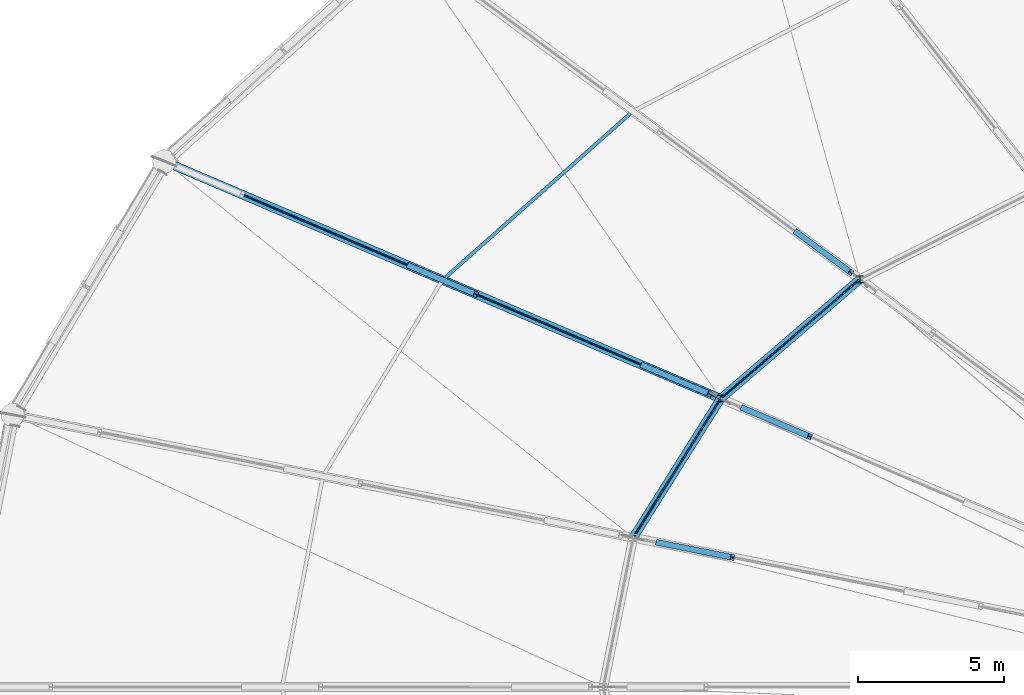
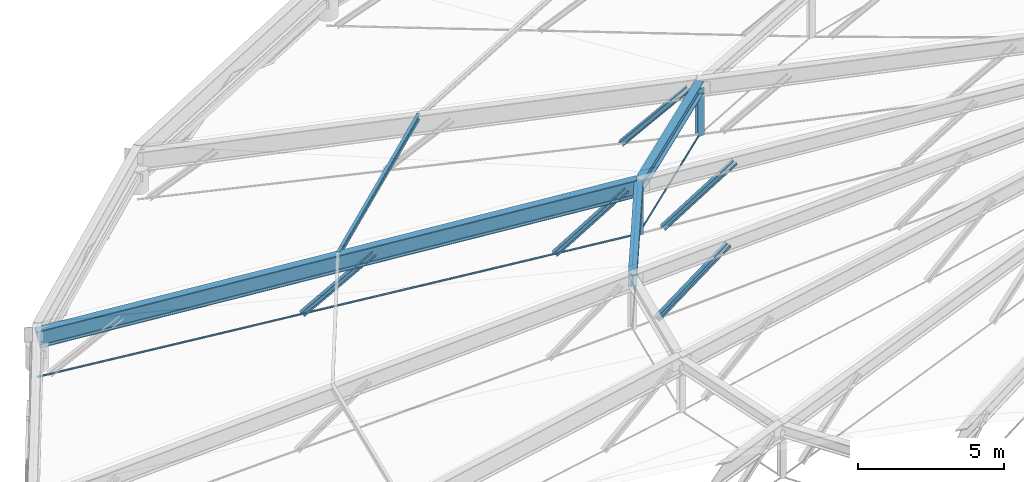
# One storey, part 12 of 83: 11 members, 3 beams.
"""IFC4 building model written with IfcOpenShell, lengths in metres."""

import ifcopenshell
import ifcopenshell.guid

model = None  # the IFC model being written
_history = None  # IfcOwnerHistory: only IFC2X3 demands one
_inside = {}  # id of a spatial element -> (the spatial element, [elements in it])
_under = {}  # id of a project, library or spatial element -> (it, [spatial elements below it])
_declared = {}  # id of a project -> (the project, [libraries it declares])
_typed = {}  # id of a type object -> (the type object, [elements of that type])
_made_of = {}  # id of a material, layer set ... -> (it, [elements and type objects made of it])


def new_model(schema):
    """Start an empty IFC model of exactly this schema.

    Asked for "IFC4X3", IfcOpenShell would pick the latest addendum, in which some entities
    have other attributes; the version numbers below select the first issue.
    IFC2X3 requires an IfcOwnerHistory on every rooted entity: one is made here for all.
    """
    global model, _history
    if schema == "IFC4X3":
        model = ifcopenshell.file(schema_version=(4, 3, 0, 0))
    else:
        model = ifcopenshell.file(schema=schema)
    _inside.clear()
    _under.clear()
    _declared.clear()
    _typed.clear()
    _made_of.clear()
    _history = None
    if model.schema == "IFC2X3":
        org = make("IfcOrganization", Name="unknown")
        user = make(
            "IfcPersonAndOrganization",
            ThePerson=make("IfcPerson", FamilyName="unknown"),
            TheOrganization=org,
        )
        app = make(
            "IfcApplication",
            ApplicationDeveloper=org,
            Version="unknown",
            ApplicationFullName="unknown",
            ApplicationIdentifier="unknown",
        )
        _history = make(
            "IfcOwnerHistory",
            OwningUser=user,
            OwningApplication=app,
            ChangeAction="ADDED",
            CreationDate=0,
        )
    return model


def make(cls, **values):
    """One entity of the class cls with the attributes given. An attribute that is None is left unset."""
    return model.create_entity(
        cls, **{name: value for name, value in values.items() if value is not None}
    )


def rooted(cls, **values):
    """An entity with a GlobalId (a new one), such as an element, a storey or a relation."""
    return make(cls, GlobalId=ifcopenshell.guid.new(), OwnerHistory=_history, **values)


def si_unit(unit_type, name, prefix=None):
    """IfcSIUnit, for example si_unit("LENGTHUNIT", "METRE", prefix="MILLI")."""
    return make("IfcSIUnit", UnitType=unit_type, Prefix=prefix, Name=name)


def assignment(units):
    """IfcUnitAssignment: the units of a project."""
    return None if units is None else make("IfcUnitAssignment", Units=units)


def point(xyz):
    """IfcCartesianPoint."""
    return None if xyz is None else make("IfcCartesianPoint", Coordinates=xyz)


def direction(xyz):
    """IfcDirection."""
    return None if xyz is None else make("IfcDirection", DirectionRatios=xyz)


def frame(location, z_axis=None, x_axis=None):
    """IfcAxis2Placement3D, a coordinate frame: its origin and axes. An axis left out is left unset."""
    return make(
        "IfcAxis2Placement3D",
        Location=point(location),
        Axis=direction(z_axis),
        RefDirection=direction(x_axis),
    )


def frame_2d(location, x_axis=None):
    """IfcAxis2Placement2D, a coordinate frame in the plane: its origin and x axis."""
    return make(
        "IfcAxis2Placement2D", Location=point(location), RefDirection=direction(x_axis)
    )


def origin():
    """The frame at (0, 0, 0) with its axes left unset."""
    return frame((0.0, 0.0, 0.0))


def origin_2d():
    """The frame at (0, 0) in the plane with its x axis left unset."""
    return frame_2d((0.0, 0.0))


def place(relative_to, where):
    """IfcLocalPlacement: puts the frame where relative to a parent placement (None: the world)."""
    return make(
        "IfcLocalPlacement", PlacementRelTo=relative_to, RelativePlacement=where
    )


def context(
    kind, dimensions, precision=None, world=None, true_north=None, identifier=None
):
    """IfcGeometricRepresentationContext, for example the 3D "Model" context."""
    return make(
        "IfcGeometricRepresentationContext",
        ContextIdentifier=identifier,
        ContextType=kind,
        CoordinateSpaceDimension=dimensions,
        Precision=precision,
        WorldCoordinateSystem=world,
        TrueNorth=true_north,
    )


def subcontext(parent, identifier, kind, view, scale=None):
    """IfcGeometricRepresentationSubContext, for example "Body" below "Model"."""
    return make(
        "IfcGeometricRepresentationSubContext",
        ContextIdentifier=identifier,
        ContextType=kind,
        ParentContext=parent,
        TargetScale=scale,
        TargetView=view,
    )


def project(units=None, contexts=None):
    """IfcProject with its units and contexts."""
    return rooted(
        "IfcProject",
        Name="project",
        RepresentationContexts=contexts,
        UnitsInContext=assignment(units),
    )


def spatial(cls, under=None, at=None, **own):
    """A site, building, storey or space (cls), placed at a placement, below another one or the project."""
    s = rooted(cls, ObjectPlacement=at, **own)
    if under is not None:
        _under.setdefault(under.id(), (under, []))[1].append(s)
    return s


def profile(cls, at=None, kind="AREA", **sizes):
    """A parametric profile (cls). Its sizes go by their IFC names, for example OverallWidth=200.0."""
    return make(cls, ProfileType=kind, Position=at, **sizes)


def circle(**sizes):
    """IfcCircleProfileDef."""
    return profile("IfcCircleProfileDef", **sizes)


def i_section(**sizes):
    """IfcIShapeProfileDef."""
    return profile("IfcIShapeProfileDef", **sizes)


def extrude(swept, where, along, depth):
    """IfcExtrudedAreaSolid: the profile swept, set in the frame where, extruded along a direction by depth."""
    return make(
        "IfcExtrudedAreaSolid",
        SweptArea=swept,
        Position=where,
        ExtrudedDirection=direction(along),
        Depth=depth,
    )


def shape(context_of_items, identifier, shape_type, items):
    """IfcShapeRepresentation: the items that make up one representation, for example the "Body"."""
    return make(
        "IfcShapeRepresentation",
        ContextOfItems=context_of_items,
        RepresentationIdentifier=identifier,
        RepresentationType=shape_type,
        Items=items,
    )


def material(Name=None, Category=None):
    """IfcMaterial."""
    return make("IfcMaterial", Name=Name, Category=Category)


def material_profile(
    of_material, cross_section, Name=None, Category=None, Priority=None
):
    """IfcMaterialProfile: a cross section and its material."""
    return make(
        "IfcMaterialProfile",
        Name=Name,
        Material=of_material,
        Profile=cross_section,
        Priority=Priority,
        Category=Category,
    )


def profile_set(profiles, Name=None, composite=None):
    """IfcMaterialProfileSet."""
    return make(
        "IfcMaterialProfileSet",
        Name=Name,
        MaterialProfiles=profiles,
        CompositeProfile=composite,
    )


def made_of(thing, what):
    """Note that an element or type object is made of a material, layer set ...; save() writes the relation."""
    if what is not None:
        _made_of.setdefault(what.id(), (what, []))[1].append(thing)
    return thing


def type_object(cls, material=None, **own):
    """A type object (cls), such as IfcWallType, which elements share."""
    return made_of(rooted(cls, **own), material)


def element(
    cls,
    number,
    at=None,
    inside=None,
    cuts=None,
    type_object=None,
    material=None,
    context=None,
    identifier="Body",
    shape_type=None,
    held_by="IfcProductDefinitionShape",
    body=None,
    shapes=None,
    **own,
):
    """One element of the class cls, such as IfcWall. Its Tag is "e" and its number.

    at: its placement. inside: the storey or other place that contains it. cuts: it is an
    opening in that element (IfcRelVoidsElement). A single representation is given by context,
    identifier, shape_type and body (its items); several are given by shapes. held_by: the class
    of the entity that holds the representations. save() writes the other relations.
    """
    e = rooted(cls, Tag="e%d" % number, ObjectPlacement=at, **own)
    if body is not None:
        shapes = [shape(context, identifier, shape_type, body)]
    if shapes is not None:
        e.Representation = make(held_by, Representations=shapes)
    if inside is not None:
        _inside.setdefault(inside.id(), (inside, []))[1].append(e)
    if cuts is not None:
        rooted(
            "IfcRelVoidsElement", RelatingBuildingElement=cuts, RelatedOpeningElement=e
        )
    if type_object is not None:
        _typed.setdefault(type_object.id(), (type_object, []))[1].append(e)
    return made_of(e, material)


def aggregate(whole, parts):
    """IfcRelAggregates: a whole, such as a stair, and the parts it consists of."""
    return rooted("IfcRelAggregates", RelatingObject=whole, RelatedObjects=parts)


def save(model, path):
    """Write the relations noted so far, then the file.

    IfcRelAggregates (storeys below a building ...), IfcRelContainedInSpatialStructure (elements
    in a storey), IfcRelDefinesByType, IfcRelAssociatesMaterial and IfcRelDeclares: one each for
    every whole, place, type object, material and project.
    """
    for whole, parts in _under.values():
        aggregate(whole, parts)
    for where, things in _inside.values():
        rooted(
            "IfcRelContainedInSpatialStructure",
            RelatedElements=things,
            RelatingStructure=where,
        )
    for kind, things in _typed.values():
        rooted("IfcRelDefinesByType", RelatedObjects=things, RelatingType=kind)
    for what, things in _made_of.values():
        rooted("IfcRelAssociatesMaterial", RelatedObjects=things, RelatingMaterial=what)
    for by, libraries in _declared.values():
        rooted("IfcRelDeclares", RelatingContext=by, RelatedDefinitions=libraries)
    model.write(path)


model = new_model("IFC4")

# Units and contexts
model_context = context("Model", 3, precision=1e-05, world=origin(), true_north=direction((0.0, 1.0)))
body_context = subcontext(model_context, "Body", "Model", "MODEL_VIEW")
ifc_project = project(units=[si_unit("LENGTHUNIT", "METRE"), si_unit("AREAUNIT", "SQUARE_METRE"), si_unit("VOLUMEUNIT", "CUBIC_METRE"), si_unit("PLANEANGLEUNIT", "RADIAN"), si_unit("MASSUNIT", "GRAM", prefix="KILO")], contexts=[model_context])

# Site, building, storey
site_placement = place(None, origin())
site = spatial("IfcSite", under=ifc_project, at=site_placement, CompositionType="ELEMENT")
building_placement = place(site_placement, origin())
building = spatial("IfcBuilding", under=site, at=building_placement, Name="Kivolera Central Railway Station", CompositionType="ELEMENT")
storey_placement = place(building_placement, frame((0.0, 0.0, 14.39990234375)))
storey = spatial("IfcBuildingStorey", under=building, at=storey_placement, Name="L03", CompositionType="ELEMENT", Elevation=14.39990234375)

# Beams
ifc_material_1 = material(Name="Steel S355", Category="steel")
ifc_material_profile_1 = material_profile(ifc_material_1, i_section(OverallWidth=0.300048828125, OverallDepth=0.699951171875, WebThickness=0.01708984375, FlangeThickness=0.031982421875, FilletRadius=0.027099609375, at=origin_2d()), Name="HEB 700")
ifc_profile_set_1 = profile_set([ifc_material_profile_1], Name="Steel S355")
beam_type_1 = type_object("IfcBeamType", Name="BM-DRB-HEB700", PredefinedType="BEAM", material=ifc_profile_set_1)
beam_1_placement = place(storey_placement, frame((18.967041015625, 108.0, 1.18017578125), z_axis=(0.897967287965, -0.382951053263, 0.216802307528), x_axis=(0.392281255326, 0.919845322171, 0.0)))
element("IfcBeam", 1, at=beam_1_placement, inside=storey, type_object=beam_type_1, Name="Oval Dome Radial Arch Rib Outer Segment DRB1-11", PredefinedType="BEAM", context=body_context, shape_type="SweptSolid", body=[
    extrude(i_section(OverallWidth=0.300048828125, OverallDepth=0.699951171875, WebThickness=0.01708984375, FlangeThickness=0.031982421875, FilletRadius=0.027099609375, at=origin_2d()), origin(), (0.0, 0.0, 1.0), 21.216796875),
])
ifc_material_profile_2 = material_profile(ifc_material_1, i_section(OverallWidth=0.300048828125, OverallDepth=0.5, WebThickness=0.014404296875, FlangeThickness=0.028076171875, FilletRadius=0.027099609375, at=origin_2d()), Name="HEB 500")
ifc_profile_set_2 = profile_set([ifc_material_profile_2], Name="Steel S355")
beam_type_2 = type_object("IfcBeamType", Name="BM-HRG-HEB500", PredefinedType="BEAM", material=ifc_profile_set_2)
beam_2_placement = place(storey_placement, frame((42.787109375, 103.965087890625, 5.780029296875), z_axis=(-0.759006904764, -0.651082574271, 0.0), x_axis=(0.651082574271, -0.759006904764, 0.0)))
element("IfcBeam", 2, at=beam_2_placement, inside=storey, type_object=beam_type_2, Name="Oval Dome Outer Hoop Ring Beam HRG1-10", PredefinedType="BEAM", context=body_context, shape_type="SweptSolid", body=[
    extrude(i_section(OverallWidth=0.300048828125, OverallDepth=0.5, WebThickness=0.014404296875, FlangeThickness=0.028076171875, FilletRadius=0.027099609375, at=origin_2d()), origin(), (0.0, 0.0, 1.0), 6.281982421875),
])
beam_3_placement = place(storey_placement, frame((38.01904296875, 99.875, 5.780029296875), z_axis=(-0.532581967899, -0.846378430413, 0.0), x_axis=(0.846378430413, -0.532581967899, 0.0)))
element("IfcBeam", 3, at=beam_3_placement, inside=storey, type_object=beam_type_2, Name="Oval Dome Outer Hoop Ring Beam HRG1-11", PredefinedType="BEAM", context=body_context, shape_type="SweptSolid", body=[
    extrude(i_section(OverallWidth=0.300048828125, OverallDepth=0.5, WebThickness=0.014404296875, FlangeThickness=0.028076171875, FilletRadius=0.027099609375, at=origin_2d()), origin(), (0.0, 0.0, 1.0), 5.62744140625),
])

# Members
ifc_material_2 = material(Name="Spiral strand steel S460", Category="steel")
ifc_material_profile_3 = material_profile(ifc_material_2, circle(Radius=0.02392578125, at=origin_2d()), Name="CABLE D48")
ifc_profile_set_3 = profile_set([ifc_material_profile_3], Name="Spiral strand steel S460")
member_type_1 = type_object("IfcMemberType", Name="MEM-CABLE-D48", PredefinedType="USERDEFINED", material=ifc_profile_set_3)
member_1_placement = place(storey_placement, frame((42.787109375, 103.965087890625, 3.780029296875), z_axis=(-0.759006904764, -0.651082574271, 0.0), x_axis=(0.651082574271, -0.759006904764, 0.0)))
element("IfcMember", 4, at=member_1_placement, inside=storey, type_object=member_type_1, Name="Dome Hoop Tension Cable HC1-10", ObjectType="TENSION_CABLE", PredefinedType="USERDEFINED", context=body_context, shape_type="SweptSolid", body=[
    extrude(circle(Radius=0.02392578125, at=origin_2d()), origin(), (0.0, 0.0, 1.0), 6.281982421875),
])
member_2_placement = place(storey_placement, frame((38.01904296875, 99.875, 3.780029296875), z_axis=(-0.532581967899, -0.846378430413, 0.0), x_axis=(0.846378430413, -0.532581967899, 0.0)))
element("IfcMember", 5, at=member_2_placement, inside=storey, type_object=member_type_1, Name="Dome Hoop Tension Cable HC1-11", ObjectType="TENSION_CABLE", PredefinedType="USERDEFINED", context=body_context, shape_type="SweptSolid", body=[
    extrude(circle(Radius=0.02392578125, at=origin_2d()), origin(), (0.0, 0.0, 1.0), 5.62744140625),
])
ifc_material_profile_4 = material_profile(ifc_material_2, circle(Radius=0.031982421875, at=origin_2d()), Name="CABLE D64")
ifc_profile_set_4 = profile_set([ifc_material_profile_4], Name="Spiral strand steel S460")
member_type_2 = type_object("IfcMemberType", Name="MEM-CABLE-D64", PredefinedType="USERDEFINED", material=ifc_profile_set_4)
member_3_placement = place(storey_placement, frame((18.967041015625, 108.0, -0.449951171875), z_axis=(0.901242554001, -0.384347837528, 0.200096473347), x_axis=(0.392281255326, 0.919845322171, 0.0)))
element("IfcMember", 6, at=member_3_placement, inside=storey, type_object=member_type_2, Name="Dome Radial Spiral-Strand Tension Cable RC1-11", ObjectType="TENSION_CABLE", PredefinedType="USERDEFINED", context=body_context, shape_type="SweptSolid", body=[
    extrude(circle(Radius=0.031982421875, at=origin_2d()), origin(), (0.0, 0.0, 1.0), 21.1396484375),
])
ifc_material_profile_5 = material_profile(ifc_material_1, i_section(OverallWidth=0.1201171875, OverallDepth=0.239990234375, WebThickness=0.006103515625, FlangeThickness=0.009765625, FilletRadius=0.014892578125, at=origin_2d()), Name="IPE 240")
ifc_profile_set_5 = profile_set([ifc_material_profile_5], Name="Steel S355")
member_type_3 = type_object("IfcMemberType", Name="MEM-PUR-IPE240", PredefinedType="PURLIN", material=ifc_profile_set_5)
member_4_placement = place(storey_placement, frame((35.008056640625, 109.7099609375, 3.775146484375), z_axis=(-0.748507030998, -0.663126854038, 0.0), x_axis=(0.663126854038, -0.748507030998, 0.0)))
element("IfcMember", 7, at=member_4_placement, inside=storey, type_object=member_type_3, Name="Dome Outer Hoop Purlin DPUR1-10", PredefinedType="PURLIN", context=body_context, shape_type="SweptSolid", body=[
    extrude(i_section(OverallWidth=0.1201171875, OverallDepth=0.239990234375, WebThickness=0.006103515625, FlangeThickness=0.009765625, FilletRadius=0.014892578125, at=origin_2d()), origin(), (0.0, 0.0, 1.0), 8.7041015625),
])
ifc_material_profile_6 = material_profile(ifc_material_1, i_section(OverallWidth=0.239990234375, OverallDepth=0.22998046875, WebThickness=0.007568359375, FlangeThickness=0.011962890625, FilletRadius=0.02099609375, at=origin_2d()), Name="HEA 240")
ifc_profile_set_6 = profile_set([ifc_material_profile_6], Name="Steel S355")
member_type_4 = type_object("IfcMemberType", Name="MEM-RAF-HEA240", PredefinedType="STRUT", material=ifc_profile_set_6)
for number, where, z_axis, x_axis, name in (
    (8, (42.787109375, 103.965087890625, 3.780029296875), (0.0, 0.0, 1.0), (1.0, 0.0, 0.0), "Dome Ring Spreader Post DP1-10"),
    (9, (38.01904296875, 99.875, 3.780029296875), (0.0, 0.0, 1.0), (1.0, 0.0, 0.0), "Dome Ring Spreader Post DP1-11"),
):
    element("IfcMember", number, at=place(storey_placement, frame(where, z_axis=z_axis, x_axis=x_axis)), inside=storey, type_object=member_type_4, Name=name, PredefinedType="STRUT", context=body_context, shape_type="SweptSolid", body=[
        extrude(i_section(OverallWidth=0.239990234375, OverallDepth=0.22998046875, WebThickness=0.007568359375, FlangeThickness=0.011962890625, FilletRadius=0.02099609375, at=origin_2d()), origin(), (0.0, 0.0, 1.0), 2.0),
    ])
ifc_material_profile_7 = material_profile(ifc_material_1, i_section(OverallWidth=0.199951171875, OverallDepth=0.199951171875, WebThickness=0.009033203125, FlangeThickness=0.014892578125, FilletRadius=0.01806640625, at=origin_2d()), Name="HEB 200")
ifc_profile_set_7 = profile_set([ifc_material_profile_7], Name="Steel S355")
member_type_5 = type_object("IfcMemberType", Name="MEM-RAF-HEB200", PredefinedType="RAFTER", material=ifc_profile_set_7)
member_5_placement = place(storey_placement, frame((40.60888671875, 105.573974609375, 3.18798828125), z_axis=(0.547334742737, -0.404203272356, 0.732833128351), x_axis=(0.59405978192, 0.804420894498, 0.0)))
element("IfcMember", 10, at=member_5_placement, inside=storey, type_object=member_type_5, Name="Dome Radial Truss Raking Web DWEB1-10.3", PredefinedType="RAFTER", context=body_context, shape_type="SweptSolid", body=[
    extrude(i_section(OverallWidth=0.199951171875, OverallDepth=0.199951171875, WebThickness=0.009033203125, FlangeThickness=0.014892578125, FilletRadius=0.01806640625, at=origin_2d()), origin(), (0.0, 0.0, 1.0), 3.411376953125),
])
member_6_placement = place(storey_placement, frame((27.35009765625, 104.425048828125, 1.4111328125), z_axis=(0.669001075137, -0.285377581341, 0.686292355729), x_axis=(0.392365547728, 0.9198093699, 0.0)))
element("IfcMember", 11, at=member_6_placement, inside=storey, type_object=member_type_5, Name="Dome Radial Truss Raking Web DWEB1-11.2", PredefinedType="RAFTER", context=body_context, shape_type="SweptSolid", body=[
    extrude(i_section(OverallWidth=0.199951171875, OverallDepth=0.199951171875, WebThickness=0.009033203125, FlangeThickness=0.014892578125, FilletRadius=0.01806640625, at=origin_2d()), origin(), (0.0, 0.0, 1.0), 3.416748046875),
])
member_7_placement = place(storey_placement, frame((35.35205078125, 101.012939453125, 3.18798828125), z_axis=(0.648429316167, -0.276809994309, 0.709165459527), x_axis=(0.392614848934, 0.91970298488, 0.0)))
element("IfcMember", 12, at=member_7_placement, inside=storey, type_object=member_type_5, Name="Dome Radial Truss Raking Web DWEB1-11.3", PredefinedType="RAFTER", context=body_context, shape_type="SweptSolid", body=[
    extrude(i_section(OverallWidth=0.199951171875, OverallDepth=0.199951171875, WebThickness=0.009033203125, FlangeThickness=0.014892578125, FilletRadius=0.01806640625, at=origin_2d()), origin(), (0.0, 0.0, 1.0), 3.525390625),
])
member_8_placement = place(storey_placement, frame((38.781005859375, 99.550048828125, 3.964111328125), z_axis=(0.641718438739, -0.273739554024, 0.716424526342), x_axis=(0.392365547728, 0.9198093699, 0.0)))
element("IfcMember", 13, at=member_8_placement, inside=storey, type_object=member_type_5, Name="Dome Inner Truss Raking Web DWEB2-11.1", PredefinedType="RAFTER", context=body_context, shape_type="SweptSolid", body=[
    extrude(i_section(OverallWidth=0.199951171875, OverallDepth=0.199951171875, WebThickness=0.009033203125, FlangeThickness=0.014892578125, FilletRadius=0.01806640625, at=origin_2d()), origin(), (0.0, 0.0, 1.0), 3.562255859375),
])
member_9_placement = place(storey_placement, frame((35.8720703125, 94.944091796875, 3.964111328125), z_axis=(0.70000791602, -0.13866121381, 0.700544063778), x_axis=(0.194309748396, 0.980940223295, 0.0)))
element("IfcMember", 14, at=member_9_placement, inside=storey, type_object=member_type_5, Name="Dome Inner Truss Raking Web DWEB2-12.1", PredefinedType="RAFTER", context=body_context, shape_type="SweptSolid", body=[
    extrude(i_section(OverallWidth=0.199951171875, OverallDepth=0.199951171875, WebThickness=0.009033203125, FlangeThickness=0.014892578125, FilletRadius=0.01806640625, at=origin_2d()), origin(), (0.0, 0.0, 1.0), 3.642822265625),
])

save(model, "model.ifc")
